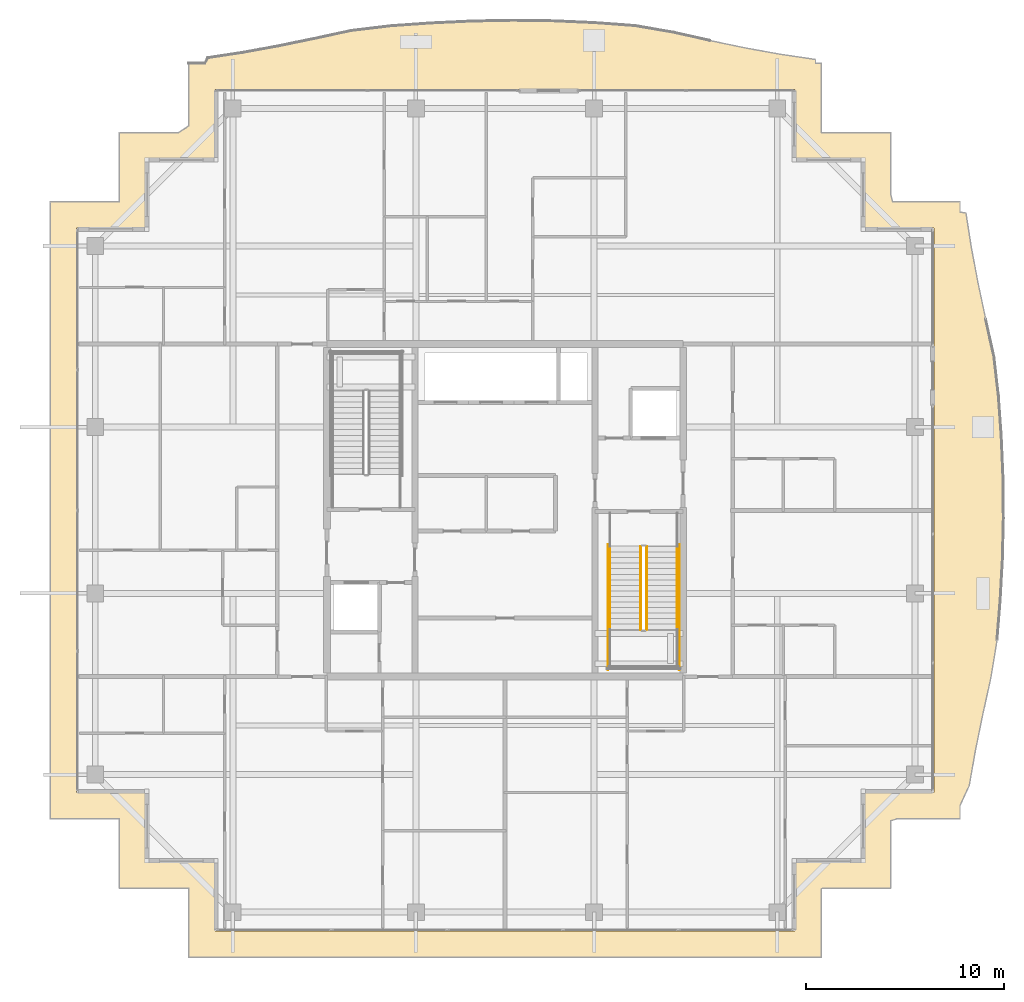
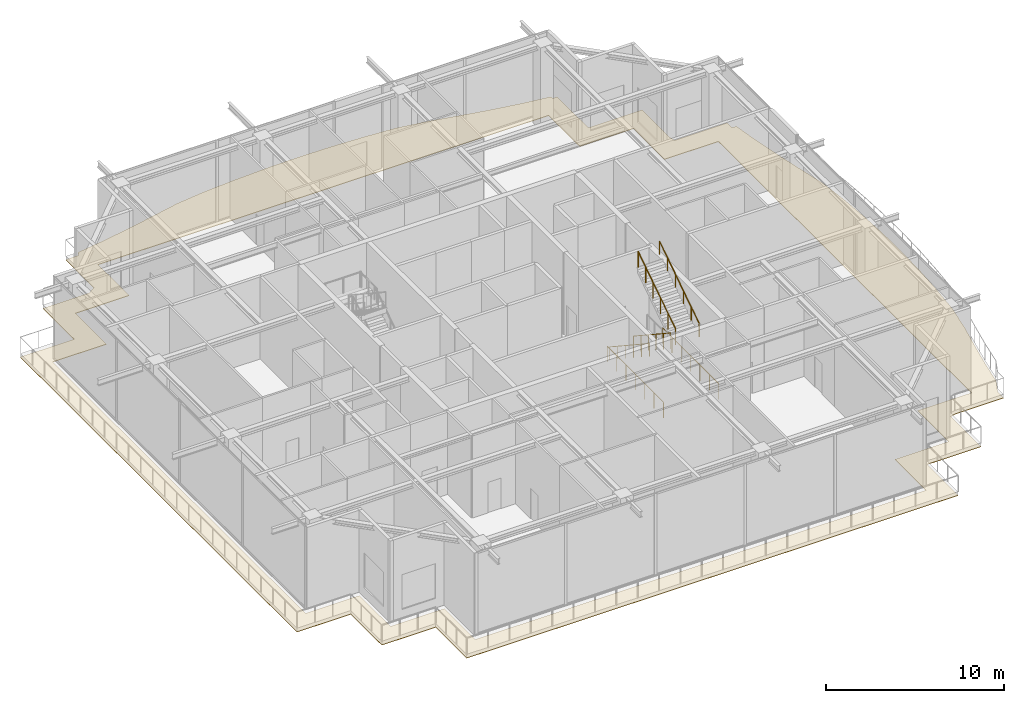
# One storey, part 38 of 40: 6 railings, 1 covering.
"""IFC4 building model written with IfcOpenShell, lengths in metres."""

import ifcopenshell
import ifcopenshell.guid

model = None  # the IFC model being written
_history = None  # IfcOwnerHistory: only IFC2X3 demands one
_inside = {}  # id of a spatial element -> (the spatial element, [elements in it])
_under = {}  # id of a project, library or spatial element -> (it, [spatial elements below it])
_declared = {}  # id of a project -> (the project, [libraries it declares])
_typed = {}  # id of a type object -> (the type object, [elements of that type])
_made_of = {}  # id of a material, layer set ... -> (it, [elements and type objects made of it])


def new_model(schema):
    """Start an empty IFC model of exactly this schema.

    Asked for "IFC4X3", IfcOpenShell would pick the latest addendum, in which some entities
    have other attributes; the version numbers below select the first issue.
    IFC2X3 requires an IfcOwnerHistory on every rooted entity: one is made here for all.
    """
    global model, _history
    if schema == "IFC4X3":
        model = ifcopenshell.file(schema_version=(4, 3, 0, 0))
    else:
        model = ifcopenshell.file(schema=schema)
    _inside.clear()
    _under.clear()
    _declared.clear()
    _typed.clear()
    _made_of.clear()
    _history = None
    if model.schema == "IFC2X3":
        org = make("IfcOrganization", Name="unknown")
        user = make(
            "IfcPersonAndOrganization",
            ThePerson=make("IfcPerson", FamilyName="unknown"),
            TheOrganization=org,
        )
        app = make(
            "IfcApplication",
            ApplicationDeveloper=org,
            Version="unknown",
            ApplicationFullName="unknown",
            ApplicationIdentifier="unknown",
        )
        _history = make(
            "IfcOwnerHistory",
            OwningUser=user,
            OwningApplication=app,
            ChangeAction="ADDED",
            CreationDate=0,
        )
    return model


def make(cls, **values):
    """One entity of the class cls with the attributes given. An attribute that is None is left unset."""
    return model.create_entity(
        cls, **{name: value for name, value in values.items() if value is not None}
    )


def rooted(cls, **values):
    """An entity with a GlobalId (a new one), such as an element, a storey or a relation."""
    return make(cls, GlobalId=ifcopenshell.guid.new(), OwnerHistory=_history, **values)


def si_unit(unit_type, name, prefix=None):
    """IfcSIUnit, for example si_unit("LENGTHUNIT", "METRE", prefix="MILLI")."""
    return make("IfcSIUnit", UnitType=unit_type, Prefix=prefix, Name=name)


def assignment(units):
    """IfcUnitAssignment: the units of a project."""
    return None if units is None else make("IfcUnitAssignment", Units=units)


def point(xyz):
    """IfcCartesianPoint."""
    return None if xyz is None else make("IfcCartesianPoint", Coordinates=xyz)


def direction(xyz):
    """IfcDirection."""
    return None if xyz is None else make("IfcDirection", DirectionRatios=xyz)


def frame(location, z_axis=None, x_axis=None):
    """IfcAxis2Placement3D, a coordinate frame: its origin and axes. An axis left out is left unset."""
    return make(
        "IfcAxis2Placement3D",
        Location=point(location),
        Axis=direction(z_axis),
        RefDirection=direction(x_axis),
    )


def frame_2d(location, x_axis=None):
    """IfcAxis2Placement2D, a coordinate frame in the plane: its origin and x axis."""
    return make(
        "IfcAxis2Placement2D", Location=point(location), RefDirection=direction(x_axis)
    )


def origin():
    """The frame at (0, 0, 0) with its axes left unset."""
    return frame((0.0, 0.0, 0.0))


def origin_2d():
    """The frame at (0, 0) in the plane with its x axis left unset."""
    return frame_2d((0.0, 0.0))


def place(relative_to, where):
    """IfcLocalPlacement: puts the frame where relative to a parent placement (None: the world)."""
    return make(
        "IfcLocalPlacement", PlacementRelTo=relative_to, RelativePlacement=where
    )


def context(
    kind, dimensions, precision=None, world=None, true_north=None, identifier=None
):
    """IfcGeometricRepresentationContext, for example the 3D "Model" context."""
    return make(
        "IfcGeometricRepresentationContext",
        ContextIdentifier=identifier,
        ContextType=kind,
        CoordinateSpaceDimension=dimensions,
        Precision=precision,
        WorldCoordinateSystem=world,
        TrueNorth=true_north,
    )


def subcontext(parent, identifier, kind, view, scale=None):
    """IfcGeometricRepresentationSubContext, for example "Body" below "Model"."""
    return make(
        "IfcGeometricRepresentationSubContext",
        ContextIdentifier=identifier,
        ContextType=kind,
        ParentContext=parent,
        TargetScale=scale,
        TargetView=view,
    )


def project(units=None, contexts=None):
    """IfcProject with its units and contexts."""
    return rooted(
        "IfcProject",
        Name="project",
        RepresentationContexts=contexts,
        UnitsInContext=assignment(units),
    )


def spatial(cls, under=None, at=None, **own):
    """A site, building, storey or space (cls), placed at a placement, below another one or the project."""
    s = rooted(cls, ObjectPlacement=at, **own)
    if under is not None:
        _under.setdefault(under.id(), (under, []))[1].append(s)
    return s


def polyline(points):
    """IfcPolyline through the points."""
    return make("IfcPolyline", Points=[point(p) for p in points])


def profile(cls, at=None, kind="AREA", **sizes):
    """A parametric profile (cls). Its sizes go by their IFC names, for example OverallWidth=200.0."""
    return make(cls, ProfileType=kind, Position=at, **sizes)


def circle(**sizes):
    """IfcCircleProfileDef."""
    return profile("IfcCircleProfileDef", **sizes)


def outline(outer, holes=None, kind="AREA"):
    """IfcArbitraryClosedProfileDef: a profile drawn as a closed curve; with holes, ...WithVoids."""
    if holes is None:
        return make("IfcArbitraryClosedProfileDef", ProfileType=kind, OuterCurve=outer)
    return make(
        "IfcArbitraryProfileDefWithVoids",
        ProfileType=kind,
        OuterCurve=outer,
        InnerCurves=holes,
    )


def extrude(swept, where, along, depth):
    """IfcExtrudedAreaSolid: the profile swept, set in the frame where, extruded along a direction by depth."""
    return make(
        "IfcExtrudedAreaSolid",
        SweptArea=swept,
        Position=where,
        ExtrudedDirection=direction(along),
        Depth=depth,
    )


def shape(context_of_items, identifier, shape_type, items):
    """IfcShapeRepresentation: the items that make up one representation, for example the "Body"."""
    return make(
        "IfcShapeRepresentation",
        ContextOfItems=context_of_items,
        RepresentationIdentifier=identifier,
        RepresentationType=shape_type,
        Items=items,
    )


def material(Name=None, Category=None):
    """IfcMaterial."""
    return make("IfcMaterial", Name=Name, Category=Category)


def layer(
    of_material, thickness, ventilated=None, Name=None, Category=None, Priority=None
):
    """IfcMaterialLayer: one layer of a wall or slab, of a material (None: an air gap)."""
    return make(
        "IfcMaterialLayer",
        Material=of_material,
        LayerThickness=thickness,
        IsVentilated=ventilated,
        Name=Name,
        Category=Category,
        Priority=Priority,
    )


def layer_set(layers, Name=None):
    """IfcMaterialLayerSet."""
    return make("IfcMaterialLayerSet", MaterialLayers=layers, LayerSetName=Name)


def made_of(thing, what):
    """Note that an element or type object is made of a material, layer set ...; save() writes the relation."""
    if what is not None:
        _made_of.setdefault(what.id(), (what, []))[1].append(thing)
    return thing


def type_object(cls, material=None, **own):
    """A type object (cls), such as IfcWallType, which elements share."""
    return made_of(rooted(cls, **own), material)


def element(
    cls,
    number,
    at=None,
    inside=None,
    cuts=None,
    type_object=None,
    material=None,
    context=None,
    identifier="Body",
    shape_type=None,
    held_by="IfcProductDefinitionShape",
    body=None,
    shapes=None,
    **own,
):
    """One element of the class cls, such as IfcWall. Its Tag is "e" and its number.

    at: its placement. inside: the storey or other place that contains it. cuts: it is an
    opening in that element (IfcRelVoidsElement). A single representation is given by context,
    identifier, shape_type and body (its items); several are given by shapes. held_by: the class
    of the entity that holds the representations. save() writes the other relations.
    """
    e = rooted(cls, Tag="e%d" % number, ObjectPlacement=at, **own)
    if body is not None:
        shapes = [shape(context, identifier, shape_type, body)]
    if shapes is not None:
        e.Representation = make(held_by, Representations=shapes)
    if inside is not None:
        _inside.setdefault(inside.id(), (inside, []))[1].append(e)
    if cuts is not None:
        rooted(
            "IfcRelVoidsElement", RelatingBuildingElement=cuts, RelatedOpeningElement=e
        )
    if type_object is not None:
        _typed.setdefault(type_object.id(), (type_object, []))[1].append(e)
    return made_of(e, material)


def aggregate(whole, parts):
    """IfcRelAggregates: a whole, such as a stair, and the parts it consists of."""
    return rooted("IfcRelAggregates", RelatingObject=whole, RelatedObjects=parts)


def save(model, path):
    """Write the relations noted so far, then the file.

    IfcRelAggregates (storeys below a building ...), IfcRelContainedInSpatialStructure (elements
    in a storey), IfcRelDefinesByType, IfcRelAssociatesMaterial and IfcRelDeclares: one each for
    every whole, place, type object, material and project.
    """
    for whole, parts in _under.values():
        aggregate(whole, parts)
    for where, things in _inside.values():
        rooted(
            "IfcRelContainedInSpatialStructure",
            RelatedElements=things,
            RelatingStructure=where,
        )
    for kind, things in _typed.values():
        rooted("IfcRelDefinesByType", RelatedObjects=things, RelatingType=kind)
    for what, things in _made_of.values():
        rooted("IfcRelAssociatesMaterial", RelatedObjects=things, RelatingMaterial=what)
    for by, libraries in _declared.values():
        rooted("IfcRelDeclares", RelatingContext=by, RelatedDefinitions=libraries)
    model.write(path)


model = new_model("IFC4")

# Units and contexts
model_context = context("Model", 3, precision=1e-05, world=origin(), true_north=direction((0.0, 1.0)))
body_context = subcontext(model_context, "Body", "Model", "MODEL_VIEW")
ifc_project = project(units=[si_unit("LENGTHUNIT", "METRE"), si_unit("AREAUNIT", "SQUARE_METRE"), si_unit("VOLUMEUNIT", "CUBIC_METRE"), si_unit("PLANEANGLEUNIT", "RADIAN"), si_unit("MASSUNIT", "GRAM", prefix="KILO")], contexts=[model_context])

# Site, building, storey
site_placement = place(None, origin())
site = spatial("IfcSite", under=ifc_project, at=site_placement, CompositionType="ELEMENT")
building_placement = place(site_placement, origin())
building = spatial("IfcBuilding", under=site, at=building_placement, Name="Serunith Strait Residences", CompositionType="ELEMENT")
storey_placement = place(building_placement, frame((0.0, 0.0, 347.949951171875)))
storey = spatial("IfcBuildingStorey", under=building, at=storey_placement, Name="L86", CompositionType="ELEMENT", Elevation=347.949951171875)

# Covering
ifc_material_1 = material(Name="Golden Teak Exterior Timber Boarding", Category="wood")
ifc_layer = layer(ifc_material_1, 0.034912109375, Name="Golden Teak Exterior Timber Boarding")
ifc_layer_set = layer_set([ifc_layer], Name="Golden Teak Exterior Timber Boarding")
covering_type = type_object("IfcCoveringType", Name="COV-TEAK-SOFFIT", PredefinedType="CEILING", material=ifc_layer_set)
covering_placement = place(storey_placement, frame((0.0, 0.0, -0.324951171875)))
element("IfcCovering", 1, at=covering_placement, inside=storey, type_object=covering_type, Name="L86 Golden-Teak Balcony Soffit Lining", PredefinedType="CEILING", context=body_context, shape_type="SweptSolid", body=[
    extrude(outline(polyline([(16.419921875, 47.780029296875), (17.242919921875, 47.780029296875), (17.3798828125, 48.0537109375), (19.1484375, 48.322021484375), (20.934814453125, 48.646728515625), (22.75537109375, 49.021484375), (24.62939453125, 49.42626953125), (26.611083984375, 49.662841796875), (28.647216796875, 49.806640625), (30.71044921875, 49.903564453125), (32.7890625, 49.94189453125), (34.86767578125, 49.914794921875), (36.9296875, 49.822998046875), (38.961181640625, 49.674560546875), (40.90234375, 49.340576171875), (42.752197265625, 48.926513671875), (44.552490234375, 48.55029296875), (46.323486328125, 48.230712890625), (48.08203125, 47.97119140625), (48.080078125, 47.780029296875), (48.3798828125, 47.780029296875), (48.3798828125, 44.280029296875), (51.8798828125, 44.280029296875), (51.8798828125, 41.168701171875), (51.97216796875, 40.780029296875), (55.3798828125, 40.780029296875), (55.3798828125, 40.260498046875), (55.678955078125, 40.21630859375), (55.956298828125, 38.4501953125), (56.2919921875, 36.666748046875), (56.679443359375, 34.84814453125), (57.095947265625, 32.974609375), (57.32568359375, 30.989013671875), (57.47021484375, 28.952880859375), (57.557861328125, 26.888916015625), (57.578369140625, 24.811279296875), (57.529296875, 22.737548828125), (57.4169921875, 20.68310546875), (57.25439453125, 18.660400390625), (56.93359375, 16.71923828125), (56.525390625, 14.868408203125), (56.1572265625, 13.064697265625), (55.84423828125, 11.2890625), (55.3798828125, 10.29541015625), (55.3798828125, 9.6201171875), (52.205322265625, 9.6201171875), (51.8798828125, 9.521484375), (51.8798828125, 6.1201171875), (48.43212890625, 6.1201171875), (48.3798828125, 6.0927734375), (48.3798828125, 2.6201171875), (16.419921875, 2.6201171875), (16.419921875, 6.1201171875), (12.919921875, 6.1201171875), (12.919921875, 9.6201171875), (9.419921875, 9.6201171875), (9.419921875, 40.780029296875), (12.919921875, 40.780029296875), (12.919921875, 44.280029296875), (15.911865234375, 44.280029296875), (16.419921875, 44.609619140625), (16.419921875, 47.780029296875)]), holes=[polyline([(47.054931640625, 3.945068359375), (47.054931640625, 7.445068359375), (50.554931640625, 7.445068359375), (50.554931640625, 10.945068359375), (54.054931640625, 10.945068359375), (54.054931640625, 39.455078125), (50.554931640625, 39.455078125), (50.554931640625, 42.955078125), (47.054931640625, 42.955078125), (47.054931640625, 46.455078125), (17.7451171875, 46.455078125), (17.7451171875, 42.955078125), (14.2451171875, 42.955078125), (14.2451171875, 39.455078125), (10.7451171875, 39.455078125), (10.7451171875, 10.945068359375), (14.2451171875, 10.945068359375), (14.2451171875, 7.445068359375), (17.7451171875, 7.445068359375), (17.7451171875, 3.945068359375), (47.054931640625, 3.945068359375)])]), origin(), (0.0, 0.0, 1.0), 0.034912109375),
])

# Railings
ifc_material_2 = material(Name="Brushed stainless steel 316L", Category="steel")
railing_type_1 = type_object("IfcRailingType", Name="RLG-STAIR-GUARD", PredefinedType="BALUSTRADE", material=ifc_material_2)
railing_1_placement = place(storey_placement, frame((39.25, 23.3701171875, 0.184326171875)))
element("IfcRailing", 2, at=railing_1_placement, inside=storey, type_object=railing_type_1, Name="L86 ST-2 stair guard 1", PredefinedType="BALUSTRADE", context=body_context, shape_type="SweptSolid", body=[
    extrude(circle(Radius=0.02392578125, at=origin_2d()), frame((0.0, -0.001708984375, 1.0771484375), z_axis=(0.0, -0.835203496638, 0.549941014294), x_axis=(1.0, 0.0, 0.0)), (0.0, 0.0, 1.0), 5.02490234375),
    extrude(circle(Radius=0.02099609375, at=origin_2d()), origin(), (0.0, 0.0, 1.0), 1.050048828125),
    extrude(circle(Radius=0.02099609375, at=origin_2d()), frame((0.0, -0.840087890625, 0.55322265625)), (0.0, 0.0, 1.0), 1.050048828125),
    extrude(circle(Radius=0.02099609375, at=origin_2d()), frame((0.0, -1.68017578125, 1.106201171875)), (0.0, 0.0, 1.0), 1.050048828125),
    extrude(circle(Radius=0.02099609375, at=origin_2d()), frame((0.0, -2.52001953125, 1.659423828125)), (0.0, 0.0, 1.0), 1.050048828125),
    extrude(circle(Radius=0.02099609375, at=origin_2d()), frame((0.0, -3.360107421875, 2.21240234375)), (0.0, 0.0, 1.0), 1.050048828125),
    extrude(circle(Radius=0.02099609375, at=origin_2d()), frame((0.0, -4.2001953125, 2.765625)), (0.0, 0.0, 1.0), 1.050048828125),
])
railing_2_placement = place(storey_placement, frame((39.550048828125, 19.169921875, 3.134521484375)))
element("IfcRailing", 3, at=railing_2_placement, inside=storey, type_object=railing_type_1, Name="L86 ST-2 stair guard 6", PredefinedType="BALUSTRADE", context=body_context, shape_type="SweptSolid", body=[
    extrude(circle(Radius=0.02392578125, at=origin_2d()), frame((0.0, 0.001708984375, 1.0771484375), z_axis=(0.0, 0.835203496638, 0.549941014294), x_axis=(-1.0, 0.0, 0.0)), (0.0, 0.0, 1.0), 5.02490234375),
    extrude(circle(Radius=0.02099609375, at=origin_2d()), origin(), (0.0, 0.0, 1.0), 1.050048828125),
    extrude(circle(Radius=0.02099609375, at=origin_2d()), frame((0.0, 0.840087890625, 0.55322265625)), (0.0, 0.0, 1.0), 1.050048828125),
    extrude(circle(Radius=0.02099609375, at=origin_2d()), frame((0.0, 1.68017578125, 1.106201171875)), (0.0, 0.0, 1.0), 1.050048828125),
    extrude(circle(Radius=0.02099609375, at=origin_2d()), frame((0.0, 2.52001953125, 1.659423828125)), (0.0, 0.0, 1.0), 1.050048828125),
    extrude(circle(Radius=0.02099609375, at=origin_2d()), frame((0.0, 3.360107421875, 2.21240234375)), (0.0, 0.0, 1.0), 1.050048828125),
    extrude(circle(Radius=0.02099609375, at=origin_2d()), frame((0.0, 4.2001953125, 2.765625)), (0.0, 0.0, 1.0), 1.050048828125),
])
for number, where, name in (
    (4, (37.60009765625, 23.469970703125, 0.0), "L86 ST-2 stair guard 10"),
    (5, (41.199951171875, 23.469970703125, 0.0), "L86 ST-2 stair guard 11"),
):
    element("IfcRailing", number, at=place(storey_placement, frame(where)), inside=storey, type_object=railing_type_1, Name=name, PredefinedType="BALUSTRADE", context=body_context, shape_type="SweptSolid", body=[
        extrude(circle(Radius=0.02392578125, at=origin_2d()), frame((0.0, -0.001953125, 1.076171875), z_axis=(0.0, -1.0, 0.0), x_axis=(1.0, 0.0, 0.0)), (0.0, 0.0, 1.0), 6.316162109375),
        extrude(circle(Radius=0.02099609375, at=origin_2d()), origin(), (0.0, 0.0, 1.0), 1.050048828125),
        extrude(circle(Radius=0.02099609375, at=origin_2d()), frame((0.0, -1.05322265625, 0.0)), (0.0, 0.0, 1.0), 1.050048828125),
        extrude(circle(Radius=0.02099609375, at=origin_2d()), frame((0.0, -2.106689453125, 0.0)), (0.0, 0.0, 1.0), 1.050048828125),
        extrude(circle(Radius=0.02099609375, at=origin_2d()), frame((0.0, -3.16015625, 0.0)), (0.0, 0.0, 1.0), 1.050048828125),
        extrude(circle(Radius=0.02099609375, at=origin_2d()), frame((0.0, -4.21337890625, 0.0)), (0.0, 0.0, 1.0), 1.050048828125),
        extrude(circle(Radius=0.02099609375, at=origin_2d()), frame((0.0, -5.2666015625, 0.0)), (0.0, 0.0, 1.0), 1.050048828125),
        extrude(circle(Radius=0.02099609375, at=origin_2d()), frame((0.0, -6.320068359375, 0.0)), (0.0, 0.0, 1.0), 1.050048828125),
    ])
railing_type_2 = type_object("IfcRailingType", Name="RLG-STAIR-HR", PredefinedType="HANDRAIL", material=ifc_material_2)
railing_3_placement = place(storey_placement, frame((37.699951171875, 23.3701171875, 0.184326171875)))
element("IfcRailing", 6, at=railing_3_placement, inside=storey, type_object=railing_type_2, Name="L86 ST-2 stair handrail 1", PredefinedType="HANDRAIL", context=body_context, shape_type="SweptSolid", body=[
    extrude(circle(Radius=0.02392578125, at=origin_2d()), frame((0.0, -0.001708984375, 0.876953125), z_axis=(0.0, -0.834769565225, 0.550599466922), x_axis=(1.0, 0.0, 0.0)), (0.0, 0.0, 1.0), 5.363037109375),
    extrude(circle(Radius=0.02099609375, at=origin_2d()), origin(), (0.0, 0.0, 1.0), 0.849853515625),
    extrude(circle(Radius=0.02099609375, at=origin_2d()), frame((0.0, -0.89599609375, 0.591064453125)), (0.0, 0.0, 1.0), 0.849853515625),
    extrude(circle(Radius=0.02099609375, at=origin_2d()), frame((0.0, -1.7919921875, 1.18212890625)), (0.0, 0.0, 1.0), 0.849853515625),
    extrude(circle(Radius=0.02099609375, at=origin_2d()), frame((0.0, -2.688232421875, 1.77294921875)), (0.0, 0.0, 1.0), 0.849853515625),
    extrude(circle(Radius=0.02099609375, at=origin_2d()), frame((0.0, -3.584228515625, 2.364013671875)), (0.0, 0.0, 1.0), 0.849853515625),
    extrude(circle(Radius=0.02099609375, at=origin_2d()), frame((0.0, -4.480224609375, 2.955078125)), (0.0, 0.0, 1.0), 0.849853515625),
])
railing_4_placement = place(storey_placement, frame((41.10009765625, 19.169921875, 3.134521484375)))
element("IfcRailing", 7, at=railing_4_placement, inside=storey, type_object=railing_type_2, Name="L86 ST-2 stair handrail 2", PredefinedType="HANDRAIL", context=body_context, shape_type="SweptSolid", body=[
    extrude(circle(Radius=0.02392578125, at=origin_2d()), frame((0.0, 0.001708984375, 0.876953125), z_axis=(0.0, 0.834776682998, 0.55058867544), x_axis=(-1.0, 0.0, 0.0)), (0.0, 0.0, 1.0), 5.36279296875),
    extrude(circle(Radius=0.02099609375, at=origin_2d()), origin(), (0.0, 0.0, 1.0), 0.849853515625),
    extrude(circle(Radius=0.02099609375, at=origin_2d()), frame((0.0, 0.89599609375, 0.591064453125)), (0.0, 0.0, 1.0), 0.849853515625),
    extrude(circle(Radius=0.02099609375, at=origin_2d()), frame((0.0, 1.7919921875, 1.181884765625)), (0.0, 0.0, 1.0), 0.849853515625),
    extrude(circle(Radius=0.02099609375, at=origin_2d()), frame((0.0, 2.68798828125, 1.77294921875)), (0.0, 0.0, 1.0), 0.849853515625),
    extrude(circle(Radius=0.02099609375, at=origin_2d()), frame((0.0, 3.583984375, 2.36376953125)), (0.0, 0.0, 1.0), 0.849853515625),
    extrude(circle(Radius=0.02099609375, at=origin_2d()), frame((0.0, 4.47998046875, 2.954833984375)), (0.0, 0.0, 1.0), 0.849853515625),
])

save(model, "model.ifc")
